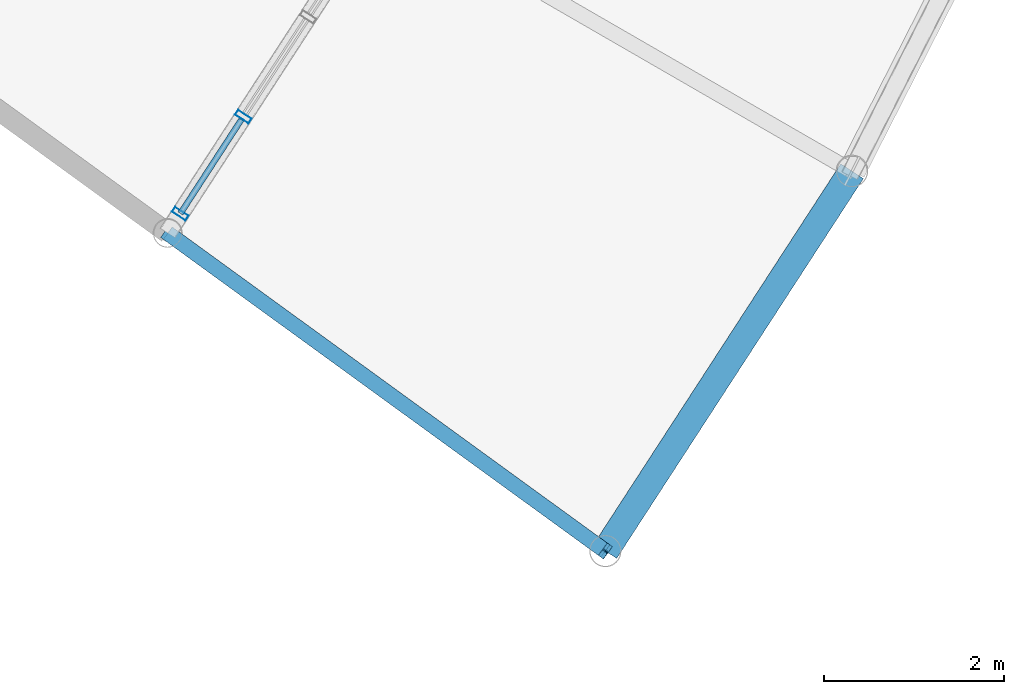
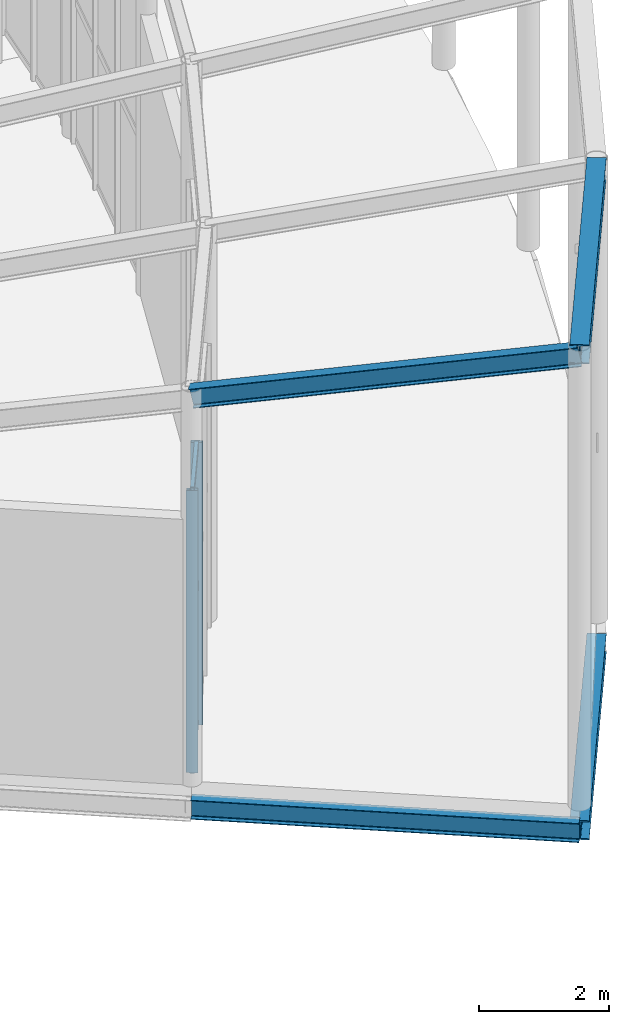
# One storey, part 80 of 158: 5 members, 4 beams, 1 element without a shape of its own.
"""IFC4 building model written with IfcOpenShell, lengths in metres."""

from ifc_helpers import new_model, si_unit, derived_unit, direction, frame, origin, origin_2d, place, context, subcontext, project, spatial, hollow_rectangle, i_section, extrude, material, material_profile, profile_set, type_object, element, aggregate, save


model = new_model("IFC4")

# Units and contexts
model_context = context("Model", 3, precision=1e-05, world=origin(), true_north=direction((0.0, 1.0)))
body_context = subcontext(model_context, "Body", "Model", "MODEL_VIEW")
ifc_project = project(units=[si_unit("LENGTHUNIT", "METRE"), si_unit("AREAUNIT", "SQUARE_METRE"), si_unit("VOLUMEUNIT", "CUBIC_METRE"), si_unit("PLANEANGLEUNIT", "RADIAN"), si_unit("MASSUNIT", "GRAM", prefix="KILO"), si_unit("THERMODYNAMICTEMPERATUREUNIT", "KELVIN"), si_unit("TIMEUNIT", "SECOND"), derived_unit("THERMALTRANSMITTANCEUNIT", [(si_unit("MASSUNIT", "GRAM", prefix="KILO"), 1), (si_unit("THERMODYNAMICTEMPERATUREUNIT", "KELVIN"), -1), (si_unit("TIMEUNIT", "SECOND"), -3)])], contexts=[model_context])

# Site, building, storey
site_placement = place(None, origin())
site = spatial("IfcSite", under=ifc_project, at=site_placement, CompositionType="ELEMENT")
building_placement = place(site_placement, origin())
building = spatial("IfcBuilding", under=site, at=building_placement, Name="Cambertide Market Hall", CompositionType="ELEMENT")
storey_placement = place(building_placement, origin())
storey = spatial("IfcBuildingStorey", under=building, at=storey_placement, Name="L01", CompositionType="ELEMENT", Elevation=0.0)

# Curtain wall, members
ifc_material_1 = material(Name="Marine Anodized Aluminium 6063-T6 AA25", Category="aluminium")
curtain_wall_type = type_object("IfcCurtainWallType", Name="Promenade Crescent Outer Glazed Wall", PredefinedType="USERDEFINED", material=ifc_material_1)
curtain_wall_placement = place(storey_placement, origin())
curtain_wall = element("IfcCurtainWall", 1, at=curtain_wall_placement, inside=storey, type_object=curtain_wall_type, Name="Level 1 Curtain Wall CW-V5M-L01-1", ObjectType="UNITIZED CURTAIN WALL", PredefinedType="USERDEFINED")
ifc_material_2 = material(Name="Champagne Marine Anodized Aluminium 6063-T6 AA25", Category="aluminium")
ifc_material_profile_1 = material_profile(ifc_material_2, hollow_rectangle(XDim=0.06494140625, YDim=0.179931640625, WallThickness=0.00390625, at=origin_2d()), Name="ALU MULLION 65x180")
ifc_profile_set_1 = profile_set([ifc_material_profile_1], Name="Champagne Marine Anodized Aluminium 6063-T6 AA25")
member_type_1 = type_object("IfcMemberType", Name="Curtain Wall Mullion ALU MULLION 65x180", PredefinedType="MULLION", material=ifc_profile_set_1)
member_1_placement = place(storey_placement, frame((178.816650390625, 42.603515625, 0.0), z_axis=(0.0, 0.0, 1.0), x_axis=(-0.544638961842, -0.838670615465, 0.0)))
member_1 = element("IfcMember", 2, at=member_1_placement, type_object=member_type_1, Name="CW-V5M-L01-1 Mullion 3", PredefinedType="MULLION", context=body_context, shape_type="SweptSolid", body=[
    extrude(hollow_rectangle(XDim=0.06494140625, YDim=0.179931640625, WallThickness=0.00390625, at=origin_2d()), origin(), (0.0, 0.0, 1.0), 5.300048828125),
])
member_2_placement = place(storey_placement, frame((178.11767578125, 41.52685546875, 0.0), z_axis=(0.0, 0.0, 1.0), x_axis=(-0.544638961842, -0.838670615465, 0.0)))
member_2 = element("IfcMember", 3, at=member_2_placement, type_object=member_type_1, Name="CW-V5M-L01-1 Mullion 4", PredefinedType="MULLION", context=body_context, shape_type="SweptSolid", body=[
    extrude(hollow_rectangle(XDim=0.06494140625, YDim=0.179931640625, WallThickness=0.00390625, at=origin_2d()), origin(), (0.0, 0.0, 1.0), 5.300048828125),
])
ifc_material_3 = material(Name="Champagne Marine Anodized Aluminium 6063-T6 AA25", Category="aluminium")
ifc_material_profile_2 = material_profile(ifc_material_3, hollow_rectangle(XDim=0.06494140625, YDim=0.139892578125, WallThickness=0.00341796875, at=origin_2d()), Name="ALU TRANSOM 65x140")
ifc_profile_set_2 = profile_set([ifc_material_profile_2], Name="Champagne Marine Anodized Aluminium 6063-T6 AA25")
member_type_2 = type_object("IfcMemberType", Name="Curtain Wall Transom ALU TRANSOM 65x140", PredefinedType="USERDEFINED", material=ifc_profile_set_2)
member_3_placement = place(storey_placement, frame((178.794921875, 42.570068359375, 0.034912109375), z_axis=(-0.544517225034, -0.838749659697, 0.0), x_axis=(0.838749659697, -0.544517225034, 0.0)))
member_3 = element("IfcMember", 4, at=member_3_placement, type_object=member_type_2, Name="CW-V5M-L01-1 Transom 1-3", ObjectType="TRANSOM", PredefinedType="USERDEFINED", context=body_context, shape_type="SweptSolid", body=[
    extrude(hollow_rectangle(XDim=0.06494140625, YDim=0.139892578125, WallThickness=0.00341796875, at=origin_2d()), origin(), (0.0, 0.0, 1.0), 1.23876953125),
])
member_4_placement = place(storey_placement, frame((178.794921875, 42.570068359375, 2.64990234375), z_axis=(-0.544517225034, -0.838749659697, 0.0), x_axis=(0.838749659697, -0.544517225034, 0.0)))
member_4 = element("IfcMember", 5, at=member_4_placement, type_object=member_type_2, Name="CW-V5M-L01-1 Transom 2-3", ObjectType="TRANSOM", PredefinedType="USERDEFINED", context=body_context, shape_type="SweptSolid", body=[
    extrude(hollow_rectangle(XDim=0.06494140625, YDim=0.139892578125, WallThickness=0.00341796875, at=origin_2d()), origin(), (0.0, 0.0, 1.0), 1.23876953125),
])
member_5_placement = place(storey_placement, frame((178.794921875, 42.570068359375, 5.264892578125), z_axis=(-0.544517225034, -0.838749659697, 0.0), x_axis=(0.838749659697, -0.544517225034, 0.0)))
member_5 = element("IfcMember", 6, at=member_5_placement, type_object=member_type_2, Name="CW-V5M-L01-1 Transom 3-3", ObjectType="TRANSOM", PredefinedType="USERDEFINED", context=body_context, shape_type="SweptSolid", body=[
    extrude(hollow_rectangle(XDim=0.06494140625, YDim=0.139892578125, WallThickness=0.00341796875, at=origin_2d()), origin(), (0.0, 0.0, 1.0), 1.23876953125),
])
aggregate(curtain_wall, [member_1, member_2, member_3, member_4, member_5])

# Beams
ifc_material_4 = material(Name="Steel S355", Category="steel")
ifc_material_profile_3 = material_profile(ifc_material_4, i_section(OverallWidth=0.300048828125, OverallDepth=0.360107421875, WebThickness=0.012451171875, FlangeThickness=0.0224609375, FilletRadius=0.027099609375, at=origin_2d()), Name="HEB 360")
ifc_profile_set_3 = profile_set([ifc_material_profile_3], Name="Steel S355")
beam_type_1 = type_object("IfcBeamType", Name="Exterior Steel Girder HEB 360", PredefinedType="BEAM", material=ifc_profile_set_3)
beam_1_placement = place(storey_placement, frame((182.832763671875, 37.786376953125, 8.449951171875), z_axis=(0.544668918299, 0.838651160757, 0.0), x_axis=(-0.838651160757, 0.544668918299, 0.0)))
element("IfcBeam", 7, at=beam_1_placement, inside=storey, type_object=beam_type_1, Name="Level 1 Beam BM-V5C-CAN-OUT-1", PredefinedType="BEAM", context=body_context, shape_type="SweptSolid", body=[
    extrude(i_section(OverallWidth=0.300048828125, OverallDepth=0.360107421875, WebThickness=0.012451171875, FlangeThickness=0.0224609375, FilletRadius=0.027099609375, at=origin_2d()), origin(), (0.0, 0.0, 1.0), 5.024169921875),
])
ifc_material_5 = material(Name="Steel S355", Category="steel")
ifc_material_profile_4 = material_profile(ifc_material_5, i_section(OverallWidth=0.169921875, OverallDepth=0.360107421875, WebThickness=0.008056640625, FlangeThickness=0.0126953125, FilletRadius=0.01806640625, at=origin_2d()), Name="IPE 360")
ifc_profile_set_4 = profile_set([ifc_material_profile_4], Name="Steel S355")
beam_type_2 = type_object("IfcBeamType", Name="Exterior Steel Girder IPE 360", PredefinedType="BEAM", material=ifc_profile_set_4)
beam_2_placement = place(storey_placement, frame((177.978759765625, 41.31298828125, 7.22998046875), z_axis=(0.792796438608, -0.575995601836, 0.199255799403), x_axis=(0.587782095208, 0.809019288122, 0.0)))
element("IfcBeam", 8, at=beam_2_placement, inside=storey, type_object=beam_type_2, Name="BM-V5R2-CAN-1", PredefinedType="BEAM", context=body_context, shape_type="SweptSolid", body=[
    extrude(i_section(OverallWidth=0.169921875, OverallDepth=0.360107421875, WebThickness=0.008056640625, FlangeThickness=0.0126953125, FilletRadius=0.01806640625, at=origin_2d()), origin(), (0.0, 0.0, 1.0), 6.12255859375),
])
ifc_material_6 = material(Name="Steel S355", Category="steel")
ifc_material_profile_5 = material_profile(ifc_material_6, i_section(OverallWidth=0.300048828125, OverallDepth=0.360107421875, WebThickness=0.012451171875, FlangeThickness=0.0224609375, FilletRadius=0.027099609375, at=origin_2d()), Name="HEB 360")
ifc_profile_set_5 = profile_set([ifc_material_profile_5], Name="Steel S355")
beam_type_3 = type_object("IfcBeamType", Name="Steel Girder HEB 360", PredefinedType="BEAM", material=ifc_profile_set_5)
beam_3_placement = place(storey_placement, frame((182.832763671875, 37.786376953125, -0.47998046875), z_axis=(0.544668918299, 0.838651160757, 0.0), x_axis=(-0.838651160757, 0.544668918299, 0.0)))
element("IfcBeam", 9, at=beam_3_placement, inside=storey, type_object=beam_type_3, Name="Level 1 Beam BM-V5C-FLR-OUT-1", PredefinedType="BEAM", context=body_context, shape_type="SweptSolid", body=[
    extrude(i_section(OverallWidth=0.300048828125, OverallDepth=0.360107421875, WebThickness=0.012451171875, FlangeThickness=0.0224609375, FilletRadius=0.027099609375, at=origin_2d()), origin(), (0.0, 0.0, 1.0), 5.024169921875),
])
ifc_material_7 = material(Name="Steel S355", Category="steel")
ifc_material_profile_6 = material_profile(ifc_material_7, i_section(OverallWidth=0.169921875, OverallDepth=0.360107421875, WebThickness=0.008056640625, FlangeThickness=0.0126953125, FilletRadius=0.01806640625, at=origin_2d()), Name="IPE 360")
ifc_profile_set_6 = profile_set([ifc_material_profile_6], Name="Steel S355")
beam_type_4 = type_object("IfcBeamType", Name="Steel Girder IPE 360", PredefinedType="BEAM", material=ifc_profile_set_6)
beam_4_placement = place(storey_placement, frame((177.978759765625, 41.31298828125, -0.47998046875), z_axis=(0.809019288122, -0.587782095208, 0.0), x_axis=(0.587782095208, 0.809019288122, 0.0)))
element("IfcBeam", 10, at=beam_4_placement, inside=storey, type_object=beam_type_4, Name="Level 1 Beam BM-V5R2-FLR-1", PredefinedType="BEAM", context=body_context, shape_type="SweptSolid", body=[
    extrude(i_section(OverallWidth=0.169921875, OverallDepth=0.360107421875, WebThickness=0.008056640625, FlangeThickness=0.0126953125, FilletRadius=0.01806640625, at=origin_2d()), origin(), (0.0, 0.0, 1.0), 5.999755859375),
])

save(model, "model.ifc")
